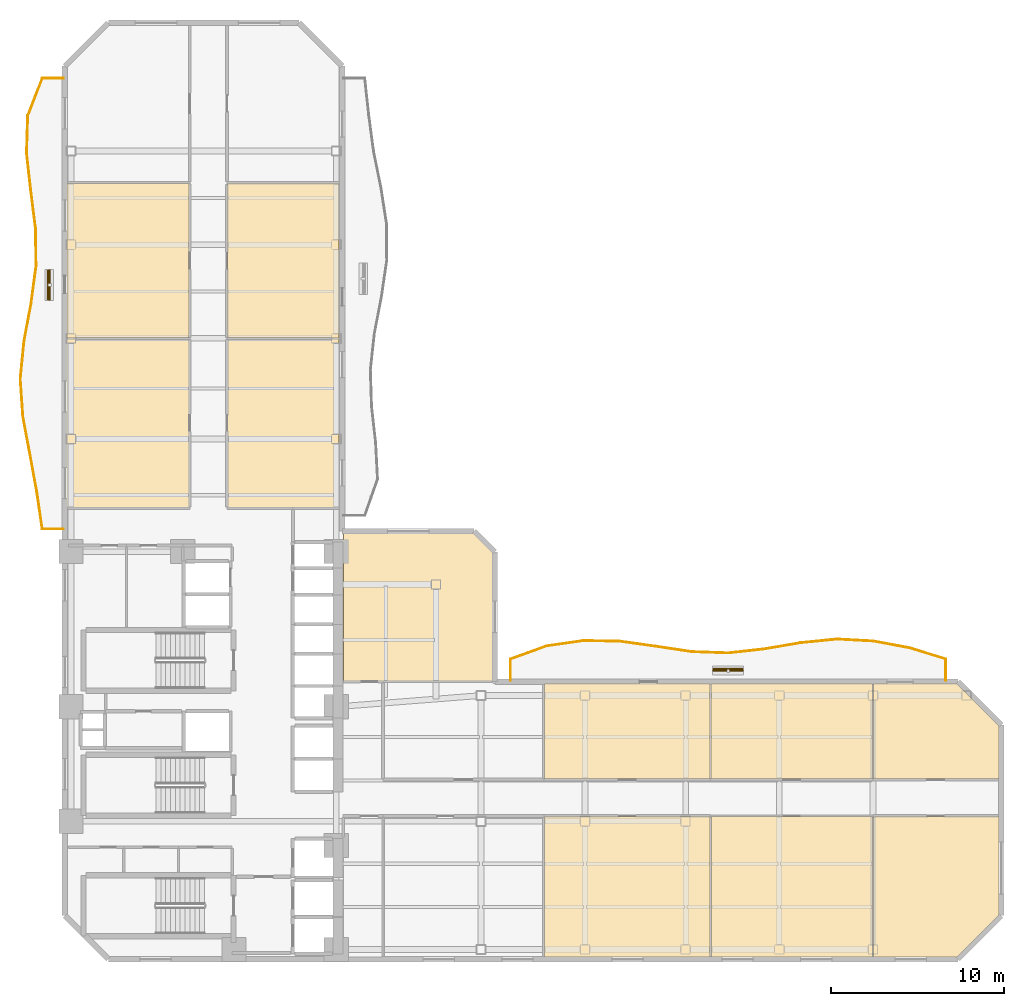
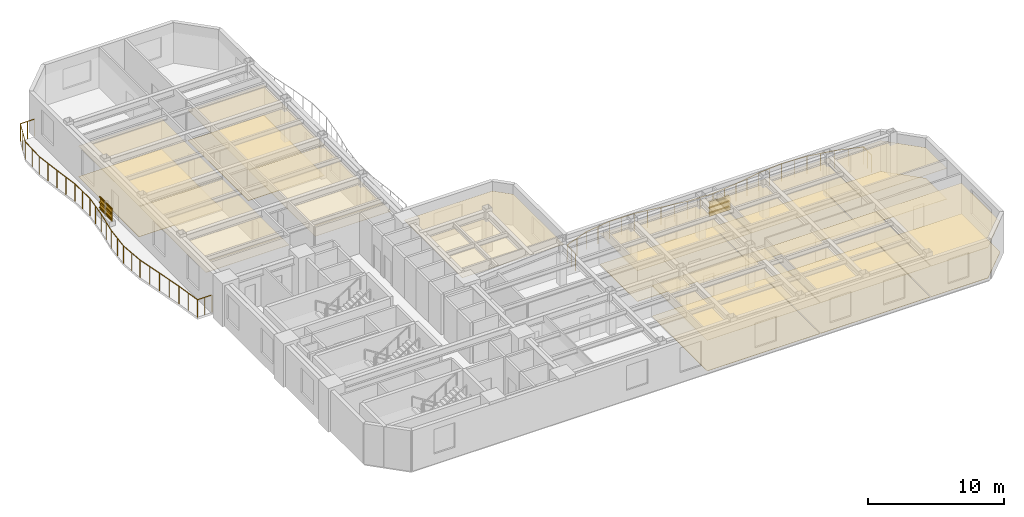
# One storey, part 9 of 10: 19 coverings, 8 shading devices, 2 railings.
"""IFC4 building model written with IfcOpenShell, lengths in metres."""

from ifc_helpers import new_model, si_unit, direction, frame, origin, origin_2d, place, context, subcontext, project, spatial, polyline, rectangle, outline, extrude, material, layer, layer_set, material_profile, profile_set, type_object, element, save


model = new_model("IFC4")

# Units and contexts
model_context = context("Model", 3, precision=1e-05, world=origin(), true_north=direction((0.0, 1.0)))
body_context = subcontext(model_context, "Body", "Model", "MODEL_VIEW")
ifc_project = project(units=[si_unit("LENGTHUNIT", "METRE"), si_unit("AREAUNIT", "SQUARE_METRE"), si_unit("VOLUMEUNIT", "CUBIC_METRE"), si_unit("PLANEANGLEUNIT", "RADIAN"), si_unit("MASSUNIT", "GRAM", prefix="KILO")], contexts=[model_context])

# Site, building, storey
site_placement = place(None, origin())
site = spatial("IfcSite", under=ifc_project, at=site_placement, CompositionType="ELEMENT")
building_placement = place(site_placement, origin())
building = spatial("IfcBuilding", under=site, at=building_placement, Name="Mawjaban Terraces University", CompositionType="ELEMENT")
storey_placement = place(building_placement, frame((0.0, 0.0, 89.5)))
storey = spatial("IfcBuildingStorey", under=building, at=storey_placement, Name="L21", CompositionType="ELEMENT", Elevation=89.5)

# Coverings
ifc_material_1 = material(Name="Acoustic mineral fibre ceiling tile", Category="masonry")
ifc_layer_1 = layer(ifc_material_1, 0.02001953125)
ifc_layer_set_1 = layer_set([ifc_layer_1], Name="Acoustic mineral fibre ceiling tile")
covering_type_1 = type_object("IfcCoveringType", Name="AcousticMineralCeiling_20", PredefinedType="CEILING", material=ifc_layer_set_1)
covering_1_placement = place(storey_placement, frame((0.0, 0.0, 2.75)))
element("IfcCovering", 1, at=covering_1_placement, inside=storey, type_object=covering_type_1, Name="L21 Seminar Room 4 Acoustic Ceiling", PredefinedType="CEILING", context=body_context, shape_type="SweptSolid", body=[
    extrude(outline(polyline([(49.64892578125, 0.114990234375), (59.215087890625, 0.114990234375), (59.215087890625, 8.219970703125), (49.64892578125, 8.219970703125), (49.64892578125, 0.114990234375)])), origin(), (0.0, 0.0, 1.0), 0.02001953125),
])
covering_2_placement = place(storey_placement, frame((0.0, 0.0, 2.75)))
element("IfcCovering", 2, at=covering_2_placement, inside=storey, type_object=covering_type_1, Name="L21 Tutorial Room 5 Acoustic Ceiling", PredefinedType="CEILING", context=body_context, shape_type="SweptSolid", body=[
    extrude(outline(polyline([(59.215087890625, 15.885009765625), (49.64892578125, 15.885009765625), (49.64892578125, 10.3798828125), (59.215087890625, 10.3798828125), (59.215087890625, 15.885009765625)])), origin(), (0.0, 0.0, 1.0), 0.02001953125),
])
covering_3_placement = place(storey_placement, frame((0.0, 0.0, 2.75)))
element("IfcCovering", 3, at=covering_3_placement, inside=storey, type_object=covering_type_1, Name="L21 Conference Room 6 Acoustic Ceiling", PredefinedType="CEILING", context=body_context, shape_type="SweptSolid", body=[
    extrude(outline(polyline([(59.27490234375, 0.114990234375), (68.570068359375, 0.114990234375), (68.570068359375, 8.219970703125), (59.27490234375, 8.219970703125), (59.27490234375, 0.114990234375)])), origin(), (0.0, 0.0, 1.0), 0.02001953125),
])
covering_4_placement = place(storey_placement, frame((0.0, 0.0, 2.75)))
element("IfcCovering", 4, at=covering_4_placement, inside=storey, type_object=covering_type_1, Name="L21 Classroom 7 Acoustic Ceiling", PredefinedType="CEILING", context=body_context, shape_type="SweptSolid", body=[
    extrude(outline(polyline([(68.570068359375, 15.885009765625), (59.27490234375, 15.885009765625), (59.27490234375, 10.3798828125), (68.570068359375, 10.3798828125), (68.570068359375, 15.885009765625)])), origin(), (0.0, 0.0, 1.0), 0.02001953125),
])
covering_5_placement = place(storey_placement, frame((0.0, 0.0, 2.75)))
element("IfcCovering", 5, at=covering_5_placement, inside=storey, type_object=covering_type_1, Name="L21 Seminar Room 8 Acoustic Ceiling", PredefinedType="CEILING", context=body_context, shape_type="SweptSolid", body=[
    extrude(outline(polyline([(68.6298828125, 0.114990234375), (73.452880859375, 0.114990234375), (75.885009765625, 2.547119140625), (75.885009765625, 8.219970703125), (68.6298828125, 8.219970703125), (68.6298828125, 0.114990234375)])), origin(), (0.0, 0.0, 1.0), 0.02001953125),
])
covering_6_placement = place(storey_placement, frame((0.0, 0.0, 2.75)))
element("IfcCovering", 6, at=covering_6_placement, inside=storey, type_object=covering_type_1, Name="L21 Tutorial Room 9 Acoustic Ceiling", PredefinedType="CEILING", context=body_context, shape_type="SweptSolid", body=[
    extrude(outline(polyline([(75.885009765625, 10.3798828125), (75.885009765625, 13.452880859375), (73.452880859375, 15.885009765625), (68.6298828125, 15.885009765625), (68.6298828125, 10.3798828125), (75.885009765625, 10.3798828125)])), origin(), (0.0, 0.0, 1.0), 0.02001953125),
])
covering_7_placement = place(storey_placement, frame((0.0, 0.0, 2.75)))
element("IfcCovering", 7, at=covering_7_placement, inside=storey, type_object=covering_type_1, Name="L21 Student Tea Pantry 10 Acoustic Ceiling", PredefinedType="CEILING", context=body_context, shape_type="SweptSolid", body=[
    extrude(outline(polyline([(22.114990234375, 35.77001953125), (22.114990234375, 26.030029296875), (29.169921875, 26.030029296875), (29.169921875, 35.77001953125), (22.114990234375, 35.77001953125)])), origin(), (0.0, 0.0, 1.0), 0.02001953125),
])
covering_8_placement = place(storey_placement, frame((0.0, 0.0, 2.75)))
element("IfcCovering", 8, at=covering_8_placement, inside=storey, type_object=covering_type_1, Name="L21 Student Tea Pantry 11 Acoustic Ceiling", PredefinedType="CEILING", context=body_context, shape_type="SweptSolid", body=[
    extrude(outline(polyline([(37.820068359375, 26.030029296875), (37.820068359375, 35.77001953125), (31.3798828125, 35.77001953125), (31.3798828125, 26.030029296875), (37.820068359375, 26.030029296875)])), origin(), (0.0, 0.0, 1.0), 0.02001953125),
])
covering_9_placement = place(storey_placement, frame((0.0, 0.0, 2.75)))
element("IfcCovering", 9, at=covering_9_placement, inside=storey, type_object=covering_type_1, Name="L21 Quiet Reading Room 12 Acoustic Ceiling", PredefinedType="CEILING", context=body_context, shape_type="SweptSolid", body=[
    extrude(outline(polyline([(22.114990234375, 44.72998046875), (22.114990234375, 35.830078125), (29.169921875, 35.830078125), (29.169921875, 44.72998046875), (22.114990234375, 44.72998046875)])), origin(), (0.0, 0.0, 1.0), 0.02001953125),
])
covering_10_placement = place(storey_placement, frame((0.0, 0.0, 2.75)))
element("IfcCovering", 10, at=covering_10_placement, inside=storey, type_object=covering_type_1, Name="L21 Reading Salon 13 Acoustic Ceiling", PredefinedType="CEILING", context=body_context, shape_type="SweptSolid", body=[
    extrude(outline(polyline([(37.820068359375, 35.830078125), (37.820068359375, 44.72998046875), (31.3798828125, 44.72998046875), (31.3798828125, 35.830078125), (37.820068359375, 35.830078125)])), origin(), (0.0, 0.0, 1.0), 0.02001953125),
])
covering_11_placement = place(storey_placement, frame((0.0, 0.0, 2.75)))
element("IfcCovering", 11, at=covering_11_placement, inside=storey, type_object=covering_type_1, Name="L21 Terrace Collaborative Study Room Acoustic Ceiling", PredefinedType="CEILING", context=body_context, shape_type="SweptSolid", body=[
    extrude(outline(polyline([(46.68505859375, 16.030029296875), (46.68505859375, 23.43798828125), (45.552978515625, 24.570068359375), (38.080078125, 24.570068359375), (38.080078125, 16.030029296875), (46.68505859375, 16.030029296875)])), origin(), (0.0, 0.0, 1.0), 0.02001953125),
])

# Railings
ifc_material_2 = material(Name="Galvanised powder-coated steel S355", Category="steel")
railing_type = type_object("IfcRailingType", Name="BalconyBalustrade_1600", PredefinedType="BALUSTRADE", material=ifc_material_2)
railing_1_placement = place(storey_placement, frame((21.919921875, 24.800048828125, 0.0)))
element("IfcRailing", 12, at=railing_1_placement, inside=storey, type_object=railing_type, Name="L21 Balcony Guardrail west", PredefinedType="BALUSTRADE", context=body_context, shape_type="SweptSolid", body=[
    extrude(rectangle(XDim=0.048095703125, YDim=0.048095703125, at=origin_2d()), frame((0.0, 0.0, 1.576171875), z_axis=(-1.0, 0.0, 0.0), x_axis=(0.0, -1.0, 0.0)), (0.0, 0.0, 1.0), 1.219970703125),
    extrude(rectangle(XDim=0.048095703125, YDim=0.048095703125, at=origin_2d()), frame((-1.219970703125, 0.0, 1.576171875), z_axis=(-0.145134557046, 0.989411926526, 0.0), x_axis=(-0.989411926526, -0.145134557046, 0.0)), (0.0, 0.0, 1.0), 2.190185546875),
    extrude(rectangle(XDim=0.048095703125, YDim=0.048095703125, at=origin_2d()), frame((-1.537841796875, 2.1669921875, 1.576171875), z_axis=(-0.179841551957, 0.983695591222, 0.0), x_axis=(-0.983695591222, -0.179841551957, 0.0)), (0.0, 0.0, 1.0), 2.201904296875),
    extrude(rectangle(XDim=0.048095703125, YDim=0.048095703125, at=origin_2d()), frame((-1.933837890625, 4.3330078125, 1.576171875), z_axis=(-0.184154813787, 0.982897250255, 0.0), x_axis=(-0.982897250255, -0.184154813787, 0.0)), (0.0, 0.0, 1.0), 2.20458984375),
    extrude(rectangle(XDim=0.048095703125, YDim=0.048095703125, at=origin_2d()), frame((-2.33984375, 6.5, 1.576171875), z_axis=(-0.06766788608, 0.99770790174, 0.0), x_axis=(-0.99770790174, -0.06766788608, 0.0)), (0.0, 0.0, 1.0), 2.171875),
    extrude(rectangle(XDim=0.048095703125, YDim=0.048095703125, at=origin_2d()), frame((-2.48681640625, 8.6669921875, 1.576171875), z_axis=(0.097370987251, 0.995248155407, 0.0), x_axis=(-0.995248155407, 0.097370987251, 0.0)), (0.0, 0.0, 1.0), 2.17626953125),
    extrude(rectangle(XDim=0.048095703125, YDim=0.048095703125, at=origin_2d()), frame((-2.27490234375, 10.8330078125, 1.576171875), z_axis=(0.183726837055, 0.982977339182, 0.0), x_axis=(-0.982977339182, 0.183726837055, 0.0)), (0.0, 0.0, 1.0), 2.20458984375),
    extrude(rectangle(XDim=0.048095703125, YDim=0.048095703125, at=origin_2d()), frame((-1.869873046875, 13.0, 1.576171875), z_axis=(0.132661087442, 0.991161458027, 0.0), x_axis=(-0.991161458027, 0.132661087442, 0.0)), (0.0, 0.0, 1.0), 2.186279296875),
    extrude(rectangle(XDim=0.048095703125, YDim=0.048095703125, at=origin_2d()), frame((-1.579833984375, 15.1669921875, 1.576171875), z_axis=(-0.011608775861, 0.999932615891, 0.0), x_axis=(-0.999932615891, -0.011608775861, 0.0)), (0.0, 0.0, 1.0), 2.166259765625),
    extrude(rectangle(XDim=0.048095703125, YDim=0.048095703125, at=origin_2d()), frame((-1.60498046875, 17.3330078125, 1.576171875), z_axis=(-0.125850320584, 0.992049241121, 0.0), x_axis=(-0.992049241121, -0.125850320584, 0.0)), (0.0, 0.0, 1.0), 2.184326171875),
    extrude(rectangle(XDim=0.048095703125, YDim=0.048095703125, at=origin_2d()), frame((-1.8798828125, 19.5, 1.576171875), z_axis=(-0.111955077603, 0.993713268805, 0.0), x_axis=(-0.993713268805, -0.111955077603, 0.0)), (0.0, 0.0, 1.0), 2.1806640625),
    extrude(rectangle(XDim=0.048095703125, YDim=0.048095703125, at=origin_2d()), frame((-2.1240234375, 21.6669921875, 1.576171875), z_axis=(0.029630806995, 0.999560911239, 0.0), x_axis=(-0.999560911239, 0.029630806995, 0.0)), (0.0, 0.0, 1.0), 2.1669921875),
    extrude(rectangle(XDim=0.048095703125, YDim=0.048095703125, at=origin_2d()), frame((-2.059814453125, 23.8330078125, 1.576171875), z_axis=(0.361371301616, 0.932421998007, 0.0), x_axis=(-0.932421998007, 0.361371301616, 0.0)), (0.0, 0.0, 1.0), 2.323974609375),
    extrude(rectangle(XDim=0.048095703125, YDim=0.048095703125, at=origin_2d()), frame((-1.219970703125, 26.0, 1.576171875), z_axis=(1.0, 0.0, 0.0), x_axis=(0.0, 1.0, 0.0)), (0.0, 0.0, 1.0), 1.219970703125),
    extrude(rectangle(XDim=0.0419921875, YDim=0.0419921875, at=origin_2d()), origin(), (0.0, 0.0, 1.0), 1.552001953125),
    extrude(rectangle(XDim=0.0419921875, YDim=0.0419921875, at=origin_2d()), frame((-0.60986328125, 0.0, 0.0)), (0.0, 0.0, 1.0), 1.552001953125),
    extrude(rectangle(XDim=0.0419921875, YDim=0.0419921875, at=origin_2d()), frame((-1.219970703125, 0.0, 0.0)), (0.0, 0.0, 1.0), 1.552001953125),
    extrude(rectangle(XDim=0.0419921875, YDim=0.0419921875, at=origin_2d()), frame((-1.37890625, 1.08349609375, 0.0)), (0.0, 0.0, 1.0), 1.552001953125),
    extrude(rectangle(XDim=0.0419921875, YDim=0.0419921875, at=origin_2d()), frame((-1.537841796875, 2.1669921875, 0.0)), (0.0, 0.0, 1.0), 1.552001953125),
    extrude(rectangle(XDim=0.0419921875, YDim=0.0419921875, at=origin_2d()), frame((-1.73583984375, 3.25, 0.0)), (0.0, 0.0, 1.0), 1.552001953125),
    extrude(rectangle(XDim=0.0419921875, YDim=0.0419921875, at=origin_2d()), frame((-1.933837890625, 4.3330078125, 0.0)), (0.0, 0.0, 1.0), 1.552001953125),
    extrude(rectangle(XDim=0.0419921875, YDim=0.0419921875, at=origin_2d()), frame((-2.13671875, 5.41650390625, 0.0)), (0.0, 0.0, 1.0), 1.552001953125),
    extrude(rectangle(XDim=0.0419921875, YDim=0.0419921875, at=origin_2d()), frame((-2.33984375, 6.5, 0.0)), (0.0, 0.0, 1.0), 1.552001953125),
    extrude(rectangle(XDim=0.0419921875, YDim=0.0419921875, at=origin_2d()), frame((-2.413330078125, 7.58349609375, 0.0)), (0.0, 0.0, 1.0), 1.552001953125),
    extrude(rectangle(XDim=0.0419921875, YDim=0.0419921875, at=origin_2d()), frame((-2.48681640625, 8.6669921875, 0.0)), (0.0, 0.0, 1.0), 1.552001953125),
    extrude(rectangle(XDim=0.0419921875, YDim=0.0419921875, at=origin_2d()), frame((-2.380859375, 9.75, 0.0)), (0.0, 0.0, 1.0), 1.552001953125),
    extrude(rectangle(XDim=0.0419921875, YDim=0.0419921875, at=origin_2d()), frame((-2.27490234375, 10.8330078125, 0.0)), (0.0, 0.0, 1.0), 1.552001953125),
    extrude(rectangle(XDim=0.0419921875, YDim=0.0419921875, at=origin_2d()), frame((-2.072265625, 11.91650390625, 0.0)), (0.0, 0.0, 1.0), 1.552001953125),
    extrude(rectangle(XDim=0.0419921875, YDim=0.0419921875, at=origin_2d()), frame((-1.869873046875, 13.0, 0.0)), (0.0, 0.0, 1.0), 1.552001953125),
    extrude(rectangle(XDim=0.0419921875, YDim=0.0419921875, at=origin_2d()), frame((-1.724853515625, 14.08349609375, 0.0)), (0.0, 0.0, 1.0), 1.552001953125),
    extrude(rectangle(XDim=0.0419921875, YDim=0.0419921875, at=origin_2d()), frame((-1.579833984375, 15.1669921875, 0.0)), (0.0, 0.0, 1.0), 1.552001953125),
    extrude(rectangle(XDim=0.0419921875, YDim=0.0419921875, at=origin_2d()), frame((-1.59228515625, 16.25, 0.0)), (0.0, 0.0, 1.0), 1.552001953125),
    extrude(rectangle(XDim=0.0419921875, YDim=0.0419921875, at=origin_2d()), frame((-1.60498046875, 17.3330078125, 0.0)), (0.0, 0.0, 1.0), 1.552001953125),
    extrude(rectangle(XDim=0.0419921875, YDim=0.0419921875, at=origin_2d()), frame((-1.742431640625, 18.41650390625, 0.0)), (0.0, 0.0, 1.0), 1.552001953125),
    extrude(rectangle(XDim=0.0419921875, YDim=0.0419921875, at=origin_2d()), frame((-1.8798828125, 19.5, 0.0)), (0.0, 0.0, 1.0), 1.552001953125),
    extrude(rectangle(XDim=0.0419921875, YDim=0.0419921875, at=origin_2d()), frame((-2.001953125, 20.58349609375, 0.0)), (0.0, 0.0, 1.0), 1.552001953125),
    extrude(rectangle(XDim=0.0419921875, YDim=0.0419921875, at=origin_2d()), frame((-2.1240234375, 21.6669921875, 0.0)), (0.0, 0.0, 1.0), 1.552001953125),
    extrude(rectangle(XDim=0.0419921875, YDim=0.0419921875, at=origin_2d()), frame((-2.091796875, 22.75, 0.0)), (0.0, 0.0, 1.0), 1.552001953125),
    extrude(rectangle(XDim=0.0419921875, YDim=0.0419921875, at=origin_2d()), frame((-2.059814453125, 23.8330078125, 0.0)), (0.0, 0.0, 1.0), 1.552001953125),
    extrude(rectangle(XDim=0.0419921875, YDim=0.0419921875, at=origin_2d()), frame((-1.639892578125, 24.91650390625, 0.0)), (0.0, 0.0, 1.0), 1.552001953125),
    extrude(rectangle(XDim=0.0419921875, YDim=0.0419921875, at=origin_2d()), frame((-1.219970703125, 26.0, 0.0)), (0.0, 0.0, 1.0), 1.552001953125),
    extrude(rectangle(XDim=0.0419921875, YDim=0.0419921875, at=origin_2d()), frame((-0.60986328125, 26.0, 0.0)), (0.0, 0.0, 1.0), 1.552001953125),
    extrude(rectangle(XDim=0.0419921875, YDim=0.0419921875, at=origin_2d()), frame((0.0, 26.0, 0.0)), (0.0, 0.0, 1.0), 1.552001953125),
])
railing_2_placement = place(storey_placement, frame((47.699951171875, 16.080078125, 0.0)))
element("IfcRailing", 13, at=railing_2_placement, inside=storey, type_object=railing_type, Name="L21 Balcony Guardrail inner_north", PredefinedType="BALUSTRADE", context=body_context, shape_type="SweptSolid", body=[
    extrude(rectangle(XDim=0.048095703125, YDim=0.048095703125, at=origin_2d()), frame((0.0, 0.0, 1.576171875), z_axis=(0.0, 1.0, 0.0), x_axis=(-1.0, 0.0, 0.0)), (0.0, 0.0, 1.0), 1.219970703125),
    extrude(rectangle(XDim=0.048095703125, YDim=0.048095703125, at=origin_2d()), frame((0.0, 1.219970703125, 1.576171875), z_axis=(0.940356059831, 0.340191829324, 0.0), x_axis=(-0.340191829324, 0.940356059831, 0.0)), (0.0, 0.0, 1.0), 2.224853515625),
    extrude(rectangle(XDim=0.048095703125, YDim=0.048095703125, at=origin_2d()), frame((2.092041015625, 1.976806640625, 1.576171875), z_axis=(0.989796374724, 0.142489075311, 0.0), x_axis=(-0.142489075311, 0.989796374724, 0.0)), (0.0, 0.0, 1.0), 2.112548828125),
    extrude(rectangle(XDim=0.048095703125, YDim=0.048095703125, at=origin_2d()), frame((4.18310546875, 2.27783203125, 1.576171875), z_axis=(0.999896996297, -0.014352588464, 0.0), x_axis=(0.014352588464, 0.999896996297, 0.0)), (0.0, 0.0, 1.0), 2.09228515625),
    extrude(rectangle(XDim=0.048095703125, YDim=0.048095703125, at=origin_2d()), frame((6.275146484375, 2.247802734375, 1.576171875), z_axis=(0.990206712631, -0.139608976291, 0.0), x_axis=(0.139608976291, 0.990206712631, 0.0)), (0.0, 0.0, 1.0), 2.112548828125),
    extrude(rectangle(XDim=0.048095703125, YDim=0.048095703125, at=origin_2d()), frame((8.366943359375, 1.952880859375, 1.576171875), z_axis=(0.989117727306, -0.147126209526, 0.0), x_axis=(0.147126209526, 0.989117727306, 0.0)), (0.0, 0.0, 1.0), 2.114013671875),
    extrude(rectangle(XDim=0.048095703125, YDim=0.048095703125, at=origin_2d()), frame((10.4580078125, 1.641845703125, 1.576171875), z_axis=(0.999391786943, -0.034871997234, 0.0), x_axis=(0.034871997234, 0.999391786943, 0.0)), (0.0, 0.0, 1.0), 2.09326171875),
    extrude(rectangle(XDim=0.048095703125, YDim=0.048095703125, at=origin_2d()), frame((12.550048828125, 1.56884765625, 1.576171875), z_axis=(0.994011792089, 0.109272856593, 0.0), x_axis=(-0.109272856593, 0.994011792089, 0.0)), (0.0, 0.0, 1.0), 2.104736328125),
    extrude(rectangle(XDim=0.048095703125, YDim=0.048095703125, at=origin_2d()), frame((14.64208984375, 1.798828125, 1.576171875), z_axis=(0.985493312997, 0.169714259973, 0.0), x_axis=(-0.169714259973, 0.985493312997, 0.0)), (0.0, 0.0, 1.0), 2.121826171875),
    extrude(rectangle(XDim=0.048095703125, YDim=0.048095703125, at=origin_2d()), frame((16.733154296875, 2.158935546875, 1.576171875), z_axis=(0.995000328576, 0.099871648293, 0.0), x_axis=(-0.099871648293, 0.995000328576, 0.0)), (0.0, 0.0, 1.0), 2.102294921875),
    extrude(rectangle(XDim=0.048095703125, YDim=0.048095703125, at=origin_2d()), frame((18.824951171875, 2.368896484375, 1.576171875), z_axis=(0.998492807166, -0.054882729861, 0.0), x_axis=(0.054882729861, 0.998492807166, 0.0)), (0.0, 0.0, 1.0), 2.09521484375),
    extrude(rectangle(XDim=0.048095703125, YDim=0.048095703125, at=origin_2d()), frame((20.9169921875, 2.25390625, 1.576171875), z_axis=(0.983140128497, -0.182853733181, 0.0), x_axis=(0.182853733181, 0.983140128497, 0.0)), (0.0, 0.0, 1.0), 2.126953125),
    extrude(rectangle(XDim=0.048095703125, YDim=0.048095703125, at=origin_2d()), frame((23.008056640625, 1.864990234375, 1.576171875), z_axis=(0.955610065128, -0.294634355475, 0.0), x_axis=(0.294634355475, 0.955610065128, 0.0)), (0.0, 0.0, 1.0), 2.189208984375),
    extrude(rectangle(XDim=0.048095703125, YDim=0.048095703125, at=origin_2d()), frame((25.10009765625, 1.219970703125, 1.576171875), z_axis=(0.0, -1.0, 0.0), x_axis=(1.0, 0.0, 0.0)), (0.0, 0.0, 1.0), 1.219970703125),
    extrude(rectangle(XDim=0.0419921875, YDim=0.0419921875, at=origin_2d()), origin(), (0.0, 0.0, 1.0), 1.552001953125),
    extrude(rectangle(XDim=0.0419921875, YDim=0.0419921875, at=origin_2d()), frame((0.0, 0.60986328125, 0.0)), (0.0, 0.0, 1.0), 1.552001953125),
    extrude(rectangle(XDim=0.0419921875, YDim=0.0419921875, at=origin_2d()), frame((0.0, 1.219970703125, 0.0)), (0.0, 0.0, 1.0), 1.552001953125),
    extrude(rectangle(XDim=0.0419921875, YDim=0.0419921875, at=origin_2d()), frame((1.0458984375, 1.598388671875, 0.0)), (0.0, 0.0, 1.0), 1.552001953125),
    extrude(rectangle(XDim=0.0419921875, YDim=0.0419921875, at=origin_2d()), frame((2.092041015625, 1.976806640625, 0.0)), (0.0, 0.0, 1.0), 1.552001953125),
    extrude(rectangle(XDim=0.0419921875, YDim=0.0419921875, at=origin_2d()), frame((3.1376953125, 2.12744140625, 0.0)), (0.0, 0.0, 1.0), 1.552001953125),
    extrude(rectangle(XDim=0.0419921875, YDim=0.0419921875, at=origin_2d()), frame((4.18310546875, 2.27783203125, 0.0)), (0.0, 0.0, 1.0), 1.552001953125),
    extrude(rectangle(XDim=0.0419921875, YDim=0.0419921875, at=origin_2d()), frame((5.22900390625, 2.2626953125, 0.0)), (0.0, 0.0, 1.0), 1.552001953125),
    extrude(rectangle(XDim=0.0419921875, YDim=0.0419921875, at=origin_2d()), frame((6.275146484375, 2.247802734375, 0.0)), (0.0, 0.0, 1.0), 1.552001953125),
    extrude(rectangle(XDim=0.0419921875, YDim=0.0419921875, at=origin_2d()), frame((7.321044921875, 2.100341796875, 0.0)), (0.0, 0.0, 1.0), 1.552001953125),
    extrude(rectangle(XDim=0.0419921875, YDim=0.0419921875, at=origin_2d()), frame((8.366943359375, 1.952880859375, 0.0)), (0.0, 0.0, 1.0), 1.552001953125),
    extrude(rectangle(XDim=0.0419921875, YDim=0.0419921875, at=origin_2d()), frame((9.41259765625, 1.79736328125, 0.0)), (0.0, 0.0, 1.0), 1.552001953125),
    extrude(rectangle(XDim=0.0419921875, YDim=0.0419921875, at=origin_2d()), frame((10.4580078125, 1.641845703125, 0.0)), (0.0, 0.0, 1.0), 1.552001953125),
    extrude(rectangle(XDim=0.0419921875, YDim=0.0419921875, at=origin_2d()), frame((11.50390625, 1.60546875, 0.0)), (0.0, 0.0, 1.0), 1.552001953125),
    extrude(rectangle(XDim=0.0419921875, YDim=0.0419921875, at=origin_2d()), frame((12.550048828125, 1.56884765625, 0.0)), (0.0, 0.0, 1.0), 1.552001953125),
    extrude(rectangle(XDim=0.0419921875, YDim=0.0419921875, at=origin_2d()), frame((13.59619140625, 1.683837890625, 0.0)), (0.0, 0.0, 1.0), 1.552001953125),
    extrude(rectangle(XDim=0.0419921875, YDim=0.0419921875, at=origin_2d()), frame((14.64208984375, 1.798828125, 0.0)), (0.0, 0.0, 1.0), 1.552001953125),
    extrude(rectangle(XDim=0.0419921875, YDim=0.0419921875, at=origin_2d()), frame((15.6875, 1.97900390625, 0.0)), (0.0, 0.0, 1.0), 1.552001953125),
    extrude(rectangle(XDim=0.0419921875, YDim=0.0419921875, at=origin_2d()), frame((16.733154296875, 2.158935546875, 0.0)), (0.0, 0.0, 1.0), 1.552001953125),
    extrude(rectangle(XDim=0.0419921875, YDim=0.0419921875, at=origin_2d()), frame((17.779052734375, 2.263916015625, 0.0)), (0.0, 0.0, 1.0), 1.552001953125),
    extrude(rectangle(XDim=0.0419921875, YDim=0.0419921875, at=origin_2d()), frame((18.824951171875, 2.368896484375, 0.0)), (0.0, 0.0, 1.0), 1.552001953125),
    extrude(rectangle(XDim=0.0419921875, YDim=0.0419921875, at=origin_2d()), frame((19.87109375, 2.3115234375, 0.0)), (0.0, 0.0, 1.0), 1.552001953125),
    extrude(rectangle(XDim=0.0419921875, YDim=0.0419921875, at=origin_2d()), frame((20.9169921875, 2.25390625, 0.0)), (0.0, 0.0, 1.0), 1.552001953125),
    extrude(rectangle(XDim=0.0419921875, YDim=0.0419921875, at=origin_2d()), frame((21.96240234375, 2.0595703125, 0.0)), (0.0, 0.0, 1.0), 1.552001953125),
    extrude(rectangle(XDim=0.0419921875, YDim=0.0419921875, at=origin_2d()), frame((23.008056640625, 1.864990234375, 0.0)), (0.0, 0.0, 1.0), 1.552001953125),
    extrude(rectangle(XDim=0.0419921875, YDim=0.0419921875, at=origin_2d()), frame((24.05419921875, 1.54248046875, 0.0)), (0.0, 0.0, 1.0), 1.552001953125),
    extrude(rectangle(XDim=0.0419921875, YDim=0.0419921875, at=origin_2d()), frame((25.10009765625, 1.219970703125, 0.0)), (0.0, 0.0, 1.0), 1.552001953125),
    extrude(rectangle(XDim=0.0419921875, YDim=0.0419921875, at=origin_2d()), frame((25.10009765625, 0.60986328125, 0.0)), (0.0, 0.0, 1.0), 1.552001953125),
    extrude(rectangle(XDim=0.0419921875, YDim=0.0419921875, at=origin_2d()), frame((25.10009765625, 0.0, 0.0)), (0.0, 0.0, 1.0), 1.552001953125),
])

# Shading devices
ifc_material_3 = material(Name="Glazed architectural terracotta ceramic", Category="masonry")
ifc_material_profile = material_profile(ifc_material_3, rectangle(XDim=0.06494140625, YDim=0.110107421875, at=origin_2d()), Name="TBAG110X65")
ifc_profile_set = profile_set([ifc_material_profile], Name="Glazed architectural terracotta ceramic")
shading_device_type_1 = type_object("IfcShadingDeviceType", Name="TerracottaBaguette_110x65", PredefinedType="USERDEFINED", material=ifc_profile_set)
for number, where, z_axis, x_axis, name in (
    (14, (21.01708984375, 38.032958984375, 0.679931640625), (0.0, 1.0, 0.0), (-1.0, 0.0, 0.0), "L21 Horizontal Terracotta Baguette west.1"),
    (15, (21.01708984375, 38.032958984375, 1.14990234375), (0.0, 1.0, 0.0), (-1.0, 0.0, 0.0), "L21 Horizontal Terracotta Baguette west.2"),
    (16, (21.01708984375, 38.032958984375, 1.6201171875), (0.0, 1.0, 0.0), (-1.0, 0.0, 0.0), "L21 Horizontal Terracotta Baguette west.3"),
):
    element("IfcShadingDevice", number, at=place(storey_placement, frame(where, z_axis=z_axis, x_axis=x_axis)), inside=storey, type_object=shading_device_type_1, Name=name, ObjectType="BAGUETTE", PredefinedType="USERDEFINED", context=body_context, shape_type="SweptSolid", body=[
        extrude(rectangle(XDim=0.06494140625, YDim=0.110107421875, at=origin_2d()), origin(), (0.0, 0.0, 1.0), 1.699951171875),
    ])
for number, where, z_axis, x_axis, name in (
    (17, (59.39990234375, 16.72998046875, 0.679931640625), (1.0, 0.0, 0.0), (0.0, 1.0, 0.0), "L21 Horizontal Terracotta Baguette inner_north.1"),
    (18, (59.39990234375, 16.72998046875, 1.14990234375), (1.0, 0.0, 0.0), (0.0, 1.0, 0.0), "L21 Horizontal Terracotta Baguette inner_north.2"),
    (19, (59.39990234375, 16.72998046875, 1.6201171875), (1.0, 0.0, 0.0), (0.0, 1.0, 0.0), "L21 Horizontal Terracotta Baguette inner_north.3"),
):
    element("IfcShadingDevice", number, at=place(storey_placement, frame(where, z_axis=z_axis, x_axis=x_axis)), inside=storey, type_object=shading_device_type_1, Name=name, ObjectType="BAGUETTE", PredefinedType="USERDEFINED", context=body_context, shape_type="SweptSolid", body=[
        extrude(rectangle(XDim=0.06494140625, YDim=0.110107421875, at=origin_2d()), origin(), (0.0, 0.0, 1.0), 1.7001953125),
    ])
ifc_layer_2 = layer(ifc_material_3, 0.080078125)
ifc_layer_set_2 = layer_set([ifc_layer_2], Name="Glazed architectural terracotta ceramic")
shading_device_type_2 = type_object("IfcShadingDeviceType", Name="TerracottaScreen_Perforated", PredefinedType="USERDEFINED", material=ifc_layer_set_2)
for number, where, z_axis, x_axis, name in (
    (20, (21.10205078125, 38.883056640625, 0.43994140625), (0.0, 0.0, 1.0), (0.0, 1.0, 0.0), "L21 Balcony Perforated Terracotta Screen west"),
    (21, (60.25, 16.64501953125, 0.43994140625), (0.0, 0.0, 1.0), (1.0, 0.0, 0.0), "L21 Balcony Perforated Terracotta Screen inner_north"),
):
    element("IfcShadingDevice", number, at=place(storey_placement, frame(where, z_axis=z_axis, x_axis=x_axis)), inside=storey, type_object=shading_device_type_2, Name=name, ObjectType="SCREEN", PredefinedType="USERDEFINED", context=body_context, shape_type="SweptSolid", body=[
        extrude(rectangle(XDim=1.75, YDim=0.080078125, at=origin_2d()), origin(), (0.0, 0.0, 1.0), 1.14990234375),
    ])

# Coverings
ifc_material_4 = material(Name="Polished Hijazi granite terrazzo flooring", Category="masonry")
ifc_layer_3 = layer(ifc_material_4, 0.02490234375)
ifc_layer_set_3 = layer_set([ifc_layer_3], Name="Polished Hijazi granite terrazzo flooring")
covering_type_2 = type_object("IfcCoveringType", Name="TerrazzoConcourseFlooring_25", PredefinedType="FLOORING", material=ifc_layer_set_3)
covering_12_placement = place(storey_placement, origin())
element("IfcCovering", 22, at=covering_12_placement, inside=storey, type_object=covering_type_2, Name="L21 Seminar Room 4 Terrazzo Flooring", PredefinedType="FLOORING", context=body_context, shape_type="SweptSolid", body=[
    extrude(outline(polyline([(49.64892578125, 0.114990234375), (59.215087890625, 0.114990234375), (59.215087890625, 8.219970703125), (49.64892578125, 8.219970703125), (49.64892578125, 0.114990234375)])), origin(), (0.0, 0.0, 1.0), 0.02490234375),
])
covering_13_placement = place(storey_placement, origin())
element("IfcCovering", 23, at=covering_13_placement, inside=storey, type_object=covering_type_2, Name="L21 Tutorial Room 5 Terrazzo Flooring", PredefinedType="FLOORING", context=body_context, shape_type="SweptSolid", body=[
    extrude(outline(polyline([(59.215087890625, 15.885009765625), (49.64892578125, 15.885009765625), (49.64892578125, 10.3798828125), (59.215087890625, 10.3798828125), (59.215087890625, 15.885009765625)])), origin(), (0.0, 0.0, 1.0), 0.02490234375),
])
covering_14_placement = place(storey_placement, origin())
element("IfcCovering", 24, at=covering_14_placement, inside=storey, type_object=covering_type_2, Name="L21 Conference Room 6 Terrazzo Flooring", PredefinedType="FLOORING", context=body_context, shape_type="SweptSolid", body=[
    extrude(outline(polyline([(59.27490234375, 0.114990234375), (68.570068359375, 0.114990234375), (68.570068359375, 8.219970703125), (59.27490234375, 8.219970703125), (59.27490234375, 0.114990234375)])), origin(), (0.0, 0.0, 1.0), 0.02490234375),
])
covering_15_placement = place(storey_placement, origin())
element("IfcCovering", 25, at=covering_15_placement, inside=storey, type_object=covering_type_2, Name="L21 Classroom 7 Terrazzo Flooring", PredefinedType="FLOORING", context=body_context, shape_type="SweptSolid", body=[
    extrude(outline(polyline([(68.570068359375, 15.885009765625), (59.27490234375, 15.885009765625), (59.27490234375, 10.3798828125), (68.570068359375, 10.3798828125), (68.570068359375, 15.885009765625)])), origin(), (0.0, 0.0, 1.0), 0.02490234375),
])
covering_16_placement = place(storey_placement, origin())
element("IfcCovering", 26, at=covering_16_placement, inside=storey, type_object=covering_type_2, Name="L21 Seminar Room 8 Terrazzo Flooring", PredefinedType="FLOORING", context=body_context, shape_type="SweptSolid", body=[
    extrude(outline(polyline([(68.6298828125, 0.114990234375), (73.452880859375, 0.114990234375), (75.885009765625, 2.547119140625), (75.885009765625, 8.219970703125), (68.6298828125, 8.219970703125), (68.6298828125, 0.114990234375)])), origin(), (0.0, 0.0, 1.0), 0.02490234375),
])
covering_17_placement = place(storey_placement, origin())
element("IfcCovering", 27, at=covering_17_placement, inside=storey, type_object=covering_type_2, Name="L21 Tutorial Room 9 Terrazzo Flooring", PredefinedType="FLOORING", context=body_context, shape_type="SweptSolid", body=[
    extrude(outline(polyline([(75.885009765625, 10.3798828125), (75.885009765625, 13.452880859375), (73.452880859375, 15.885009765625), (68.6298828125, 15.885009765625), (68.6298828125, 10.3798828125), (75.885009765625, 10.3798828125)])), origin(), (0.0, 0.0, 1.0), 0.02490234375),
])
covering_18_placement = place(storey_placement, origin())
element("IfcCovering", 28, at=covering_18_placement, inside=storey, type_object=covering_type_2, Name="L21 Quiet Reading Room 12 Terrazzo Flooring", PredefinedType="FLOORING", context=body_context, shape_type="SweptSolid", body=[
    extrude(outline(polyline([(22.114990234375, 44.72998046875), (22.114990234375, 35.830078125), (29.169921875, 35.830078125), (29.169921875, 44.72998046875), (22.114990234375, 44.72998046875)])), origin(), (0.0, 0.0, 1.0), 0.02490234375),
])
covering_19_placement = place(storey_placement, origin())
element("IfcCovering", 29, at=covering_19_placement, inside=storey, type_object=covering_type_2, Name="L21 Reading Salon 13 Terrazzo Flooring", PredefinedType="FLOORING", context=body_context, shape_type="SweptSolid", body=[
    extrude(outline(polyline([(37.820068359375, 35.830078125), (37.820068359375, 44.72998046875), (31.3798828125, 44.72998046875), (31.3798828125, 35.830078125), (37.820068359375, 35.830078125)])), origin(), (0.0, 0.0, 1.0), 0.02490234375),
])

save(model, "model.ifc")
